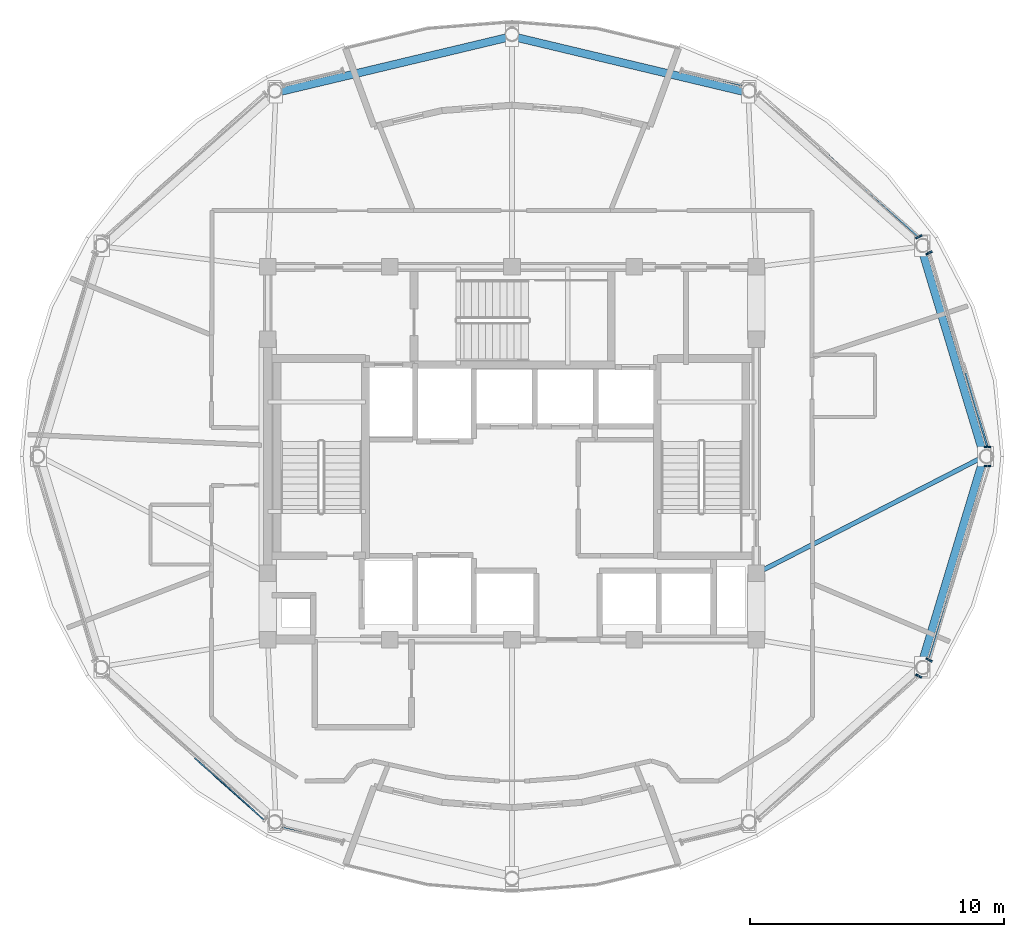
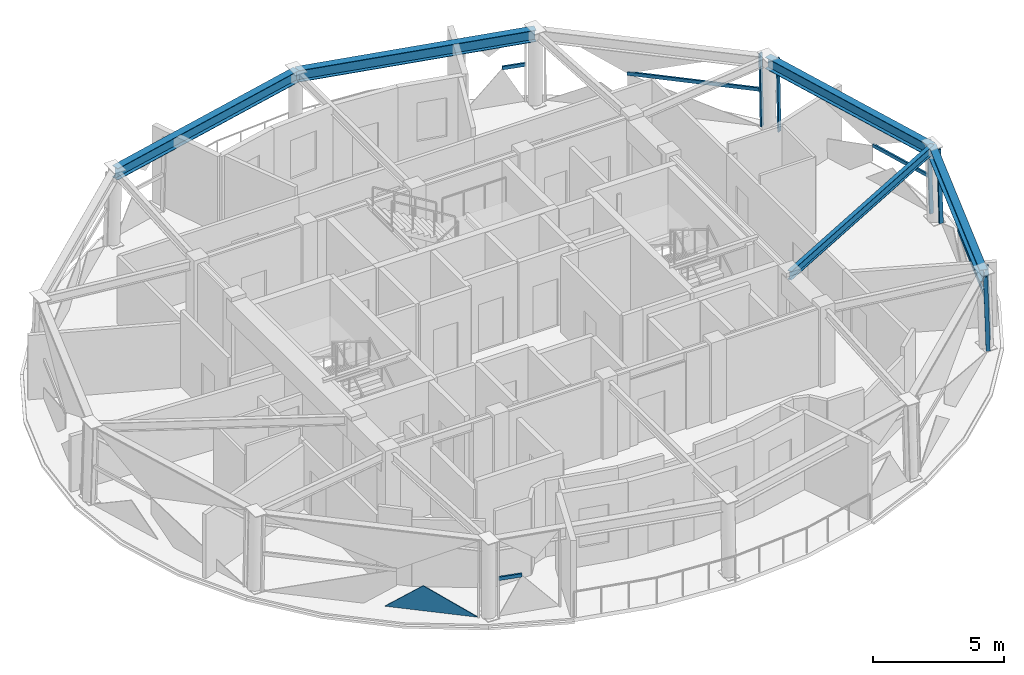
# One storey, part 4 of 13: 11 members, 5 beams, 1 plate, 7 elements without a shape of their own.
"""IFC4 building model written with IfcOpenShell, lengths in metres."""

from ifc_helpers import new_model, si_unit, direction, frame, origin, origin_2d, place, context, subcontext, project, spatial, polyline, hollow_rectangle, i_section, outline, extrude, material, layer, layer_set, material_profile, profile_set, type_object, element, aggregate, save


model = new_model("IFC4")

# Units and contexts
model_context = context("Model", 3, precision=1e-05, world=origin(), true_north=direction((0.0, 1.0)))
body_context = subcontext(model_context, "Body", "Model", "MODEL_VIEW")
ifc_project = project(units=[si_unit("LENGTHUNIT", "METRE"), si_unit("AREAUNIT", "SQUARE_METRE"), si_unit("VOLUMEUNIT", "CUBIC_METRE"), si_unit("PLANEANGLEUNIT", "RADIAN"), si_unit("MASSUNIT", "GRAM", prefix="KILO")], contexts=[model_context])

# Site, building, storey
site_placement = place(None, origin())
site = spatial("IfcSite", under=ifc_project, at=site_placement, CompositionType="ELEMENT")
building_placement = place(site_placement, origin())
building = spatial("IfcBuilding", under=site, at=building_placement, Name="Vantalir Tower", CompositionType="ELEMENT")
storey_placement = place(building_placement, frame((0.0, 0.0, 286.35009765625)))
storey = spatial("IfcBuildingStorey", under=building, at=storey_placement, Name="L72", CompositionType="ELEMENT", Elevation=286.35009765625)

# Beams
ifc_material_1 = material(Name="Steel S355", Category="steel")
ifc_material_profile_1 = material_profile(ifc_material_1, i_section(OverallWidth=0.179931640625, OverallDepth=0.4130859375, WebThickness=0.009521484375, FlangeThickness=0.01611328125, at=origin_2d()), Name="Steel S355")
ifc_profile_set_1 = profile_set([ifc_material_profile_1], Name="Steel S355")
beam_type_1 = type_object("IfcBeamType", Name="BM-RB-406x178", PredefinedType="BEAM", material=ifc_profile_set_1)
beam_1_placement = place(storey_placement, frame((50.06005859375, 25.0, 3.364013671875), z_axis=(-0.8896058829, -0.456728993068, 0.0), x_axis=(0.456728993068, -0.8896058829, 0.0)))
element("IfcBeam", 1, at=beam_1_placement, inside=storey, type_object=beam_type_1, Name="L72 Radial Floor Beam 01", PredefinedType="BEAM", context=body_context, shape_type="SweptSolid", body=[
    extrude(i_section(OverallWidth=0.179931640625, OverallDepth=0.4130859375, WebThickness=0.009521484375, FlangeThickness=0.01611328125, at=origin_2d()), origin(), (0.0, 0.0, 1.0), 10.07177734375),
])
ifc_material_2 = material(Name="Steel S460", Category="steel")
ifc_material_profile_2 = material_profile(ifc_material_2, i_section(OverallWidth=0.31201171875, OverallDepth=0.5419921875, WebThickness=0.0126953125, FlangeThickness=0.020263671875, at=origin_2d()), Name="Steel S460")
ifc_profile_set_2 = profile_set([ifc_material_profile_2], Name="Steel S460")
beam_type_2 = type_object("IfcBeamType", Name="BM-RG-533x312", PredefinedType="USERDEFINED", material=ifc_profile_set_2)
beam_2_placement = place(storey_placement, frame((50.06005859375, 25.0, 3.298828125), z_axis=(-0.288436105836, 0.957499145091, 0.0), x_axis=(-0.957499145091, -0.288436105836, 0.0)))
element("IfcBeam", 2, at=beam_2_placement, inside=storey, type_object=beam_type_2, Name="L72 Circumferential Ring Girder 01", ObjectType="GIRDER", PredefinedType="USERDEFINED", context=body_context, shape_type="SweptSolid", body=[
    extrude(i_section(OverallWidth=0.31201171875, OverallDepth=0.5419921875, WebThickness=0.0126953125, FlangeThickness=0.020263671875, at=origin_2d()), origin(), (0.0, 0.0, 1.0), 8.62255859375),
])
for number, where, z_axis, x_axis, name in (
    (3, (40.780029296875, 39.300048828125, 3.298828125), (-0.972749896139, 0.231856937703, 0.0), (-0.231856937703, -0.972749896139, 0.0), "L72 Circumferential Ring Girder 03"),
    (4, (31.5, 41.511962890625, 3.298828125), (-0.972749896139, -0.231856937703, 0.0), (0.231856937703, -0.972749896139, 0.0), "L72 Circumferential Ring Girder 04"),
):
    element("IfcBeam", number, at=place(storey_placement, frame(where, z_axis=z_axis, x_axis=x_axis)), inside=storey, type_object=beam_type_2, Name=name, ObjectType="GIRDER", PredefinedType="USERDEFINED", context=body_context, shape_type="SweptSolid", body=[
        extrude(i_section(OverallWidth=0.31201171875, OverallDepth=0.5419921875, WebThickness=0.0126953125, FlangeThickness=0.020263671875, at=origin_2d()), origin(), (0.0, 0.0, 1.0), 9.5400390625),
    ])
beam_3_placement = place(storey_placement, frame((47.572998046875, 16.743896484375, 3.298828125), z_axis=(0.288436105836, 0.957499145091, 0.0), x_axis=(-0.957499145091, 0.288436105836, 0.0)))
element("IfcBeam", 5, at=beam_3_placement, inside=storey, type_object=beam_type_2, Name="L72 Circumferential Ring Girder 12", ObjectType="GIRDER", PredefinedType="USERDEFINED", context=body_context, shape_type="SweptSolid", body=[
    extrude(i_section(OverallWidth=0.31201171875, OverallDepth=0.5419921875, WebThickness=0.0126953125, FlangeThickness=0.020263671875, at=origin_2d()), origin(), (0.0, 0.0, 1.0), 8.62255859375),
])

# Curtain wall, members
ifc_material_3 = material(Name="Champagne-silver PVDF aluminium and double-silver Low-E glass", Category="aluminium")
ifc_layer_1 = layer(ifc_material_3, 0.219970703125)
ifc_layer_set_1 = layer_set([ifc_layer_1], Name="Champagne-silver PVDF aluminium and double-silver Low-E glass")
curtain_wall_type = type_object("IfcCurtainWallType", Name="CW-DIAMOND-Z4", PredefinedType="USERDEFINED", material=ifc_layer_set_1)
curtain_wall_1_placement = place(storey_placement, origin())
curtain_wall_1 = element("IfcCurtainWall", 6, at=curtain_wall_1_placement, inside=storey, type_object=curtain_wall_type, Name="L72 Quilted Pyramid-Diamond Curtain Wall S01", ObjectType="UNITISED CURTAIN WALL", PredefinedType="USERDEFINED")
ifc_material_4 = material(Name="Champagne-silver PVDF aluminium 6063-T6", Category="aluminium")
ifc_material_profile_3 = material_profile(ifc_material_4, hollow_rectangle(XDim=0.070068359375, YDim=0.1650390625, WallThickness=0.00390625, at=origin_2d()), Name="Champagne-silver PVDF aluminium 6063-T6")
ifc_profile_set_3 = profile_set([ifc_material_profile_3], Name="Champagne-silver PVDF aluminium 6063-T6")
member_type_1 = type_object("IfcMemberType", Name="CWM-165x70", PredefinedType="MULLION", material=ifc_profile_set_3)
member_1_placement = place(storey_placement, frame((50.242919921875, 25.373046875, 0.044921875), z_axis=(-0.030153253369, 0.0, 0.999545287274), x_axis=(0.0, -1.0, 0.0)))
member_1 = element("IfcMember", 7, at=member_1_placement, type_object=member_type_1, Name="CW-L72-S01 Mullion 1", PredefinedType="MULLION", context=body_context, shape_type="SweptSolid", body=[
    extrude(hollow_rectangle(XDim=0.070068359375, YDim=0.1650390625, WallThickness=0.00390625, at=origin_2d()), origin(), (0.0, 0.0, 1.0), 3.4814453125),
])
member_2_placement = place(storey_placement, frame((47.94091796875, 33.02490234375, 0.044921875), z_axis=(-0.026086689431, -0.013464097771, 0.999569008476), x_axis=(0.45864291977, -0.888620657055, 0.0)))
member_2 = element("IfcMember", 8, at=member_2_placement, type_object=member_type_1, Name="CW-L72-S01 Mullion 2", PredefinedType="MULLION", context=body_context, shape_type="SweptSolid", body=[
    extrude(hollow_rectangle(XDim=0.070068359375, YDim=0.1650390625, WallThickness=0.00390625, at=origin_2d()), origin(), (0.0, 0.0, 1.0), 3.4814453125),
])

# Curtain wall, member
curtain_wall_2_placement = place(storey_placement, origin())
curtain_wall_2 = element("IfcCurtainWall", 9, at=curtain_wall_2_placement, inside=storey, type_object=curtain_wall_type, Name="L72 Quilted Pyramid-Diamond Curtain Wall S02", ObjectType="UNITISED CURTAIN WALL", PredefinedType="USERDEFINED")
member_3_placement = place(storey_placement, frame((47.5380859375, 33.656982421875, 0.044921875), z_axis=(-0.026156767027, -0.013464073107, 0.999567177469), x_axis=(0.457671144343, -0.889121546042, 0.0)))
member_3 = element("IfcMember", 10, at=member_3_placement, type_object=member_type_1, Name="CW-L72-S02 Mullion 1", PredefinedType="MULLION", context=body_context, shape_type="SweptSolid", body=[
    extrude(hollow_rectangle(XDim=0.070068359375, YDim=0.1650390625, WallThickness=0.00390625, at=origin_2d()), origin(), (0.0, 0.0, 1.0), 3.4814453125),
])

curtain_wall_3_placement = place(storey_placement, origin())
curtain_wall_3 = element("IfcCurtainWall", 11, at=curtain_wall_3_placement, inside=storey, type_object=curtain_wall_type, Name="L72 Quilted Pyramid-Diamond Curtain Wall S11", ObjectType="UNITISED CURTAIN WALL", PredefinedType="USERDEFINED")
member_4_placement = place(storey_placement, frame((47.5380859375, 16.343017578125, 0.044921875), z_axis=(-0.026156767027, 0.013464073107, 0.999567177469), x_axis=(-0.457671144343, -0.889121546042, 0.0)))
member_4 = element("IfcMember", 12, at=member_4_placement, type_object=member_type_1, Name="CW-L72-S11 Mullion 2", PredefinedType="MULLION", context=body_context, shape_type="SweptSolid", body=[
    extrude(hollow_rectangle(XDim=0.070068359375, YDim=0.1650390625, WallThickness=0.00390625, at=origin_2d()), origin(), (0.0, 0.0, 1.0), 3.4814453125),
])
aggregate(curtain_wall_3, [member_4])

# Curtain wall, members
curtain_wall_4_placement = place(storey_placement, origin())
curtain_wall_4 = element("IfcCurtainWall", 13, at=curtain_wall_4_placement, inside=storey, type_object=curtain_wall_type, Name="L72 Quilted Pyramid-Diamond Curtain Wall S12", ObjectType="UNITISED CURTAIN WALL", PredefinedType="USERDEFINED")
member_5_placement = place(storey_placement, frame((47.94091796875, 16.97509765625, 0.044921875), z_axis=(-0.026086689431, 0.013464097771, 0.999569008476), x_axis=(-0.45864291977, -0.888620657055, 0.0)))
member_5 = element("IfcMember", 14, at=member_5_placement, type_object=member_type_1, Name="CW-L72-S12 Mullion 1", PredefinedType="MULLION", context=body_context, shape_type="SweptSolid", body=[
    extrude(hollow_rectangle(XDim=0.070068359375, YDim=0.1650390625, WallThickness=0.00390625, at=origin_2d()), origin(), (0.0, 0.0, 1.0), 3.4814453125),
])
member_6_placement = place(storey_placement, frame((50.242919921875, 24.626953125, 0.044921875), z_axis=(-0.030153253369, 0.0, 0.999545287274), x_axis=(0.0, -1.0, 0.0)))
member_6 = element("IfcMember", 15, at=member_6_placement, type_object=member_type_1, Name="CW-L72-S12 Mullion 2", PredefinedType="MULLION", context=body_context, shape_type="SweptSolid", body=[
    extrude(hollow_rectangle(XDim=0.070068359375, YDim=0.1650390625, WallThickness=0.00390625, at=origin_2d()), origin(), (0.0, 0.0, 1.0), 3.4814453125),
])

# Member
ifc_material_profile_4 = material_profile(ifc_material_4, hollow_rectangle(XDim=0.074951171875, YDim=0.159912109375, WallThickness=0.00390625, at=origin_2d()), Name="Champagne-silver PVDF aluminium 6063-T6")
ifc_profile_set_4 = profile_set([ifc_material_profile_4], Name="Champagne-silver PVDF aluminium 6063-T6")
member_type_2 = type_object("IfcMemberType", Name="CWT-160x75", PredefinedType="USERDEFINED", material=ifc_profile_set_4)
member_7_placement = place(storey_placement, frame((50.18994140625, 25.373046875, 1.784912109375), z_axis=(-0.280378186081, 0.959889614888, 0.0), x_axis=(-0.959889614888, -0.280378186081, 0.0)))
member_7 = element("IfcMember", 16, at=member_7_placement, type_object=member_type_2, Name="CW-L72-S01 Pyramid Fold Ridge Transom", ObjectType="TRANSOM", PredefinedType="USERDEFINED", context=body_context, shape_type="SweptSolid", body=[
    extrude(hollow_rectangle(XDim=0.074951171875, YDim=0.159912109375, WallThickness=0.00390625, at=origin_2d()), origin(), (0.0, 0.0, 1.0), 3.024169921875),
])

aggregate(curtain_wall_1, [member_1, member_2, member_7])

member_8_placement = place(storey_placement, frame((47.491943359375, 33.634033203125, 1.784912109375), z_axis=(-0.743607510148, 0.66861638542, 0.0), x_axis=(-0.66861638542, -0.743607510148, 0.0)))
member_8 = element("IfcMember", 17, at=member_8_placement, type_object=member_type_2, Name="CW-L72-S02 Pyramid Fold Ridge Transom", ObjectType="TRANSOM", PredefinedType="USERDEFINED", context=body_context, shape_type="SweptSolid", body=[
    extrude(hollow_rectangle(XDim=0.074951171875, YDim=0.159912109375, WallThickness=0.00390625, at=origin_2d()), origin(), (0.0, 0.0, 1.0), 5.228515625),
])

aggregate(curtain_wall_2, [member_3, member_8])

# Curtain wall, member
curtain_wall_5_placement = place(storey_placement, origin())
curtain_wall_5 = element("IfcCurtainWall", 18, at=curtain_wall_5_placement, inside=storey, type_object=curtain_wall_type, Name="L72 Quilted Pyramid-Diamond Curtain Wall S03", ObjectType="UNITISED CURTAIN WALL", PredefinedType="USERDEFINED")
member_9_placement = place(storey_placement, frame((40.52197265625, 39.595947265625, 1.784912109375), z_axis=(-0.966633878312, 0.256161951309, 0.0), x_axis=(-0.256161951309, -0.966633878312, 0.0)))
member_9 = element("IfcMember", 19, at=member_9_placement, type_object=member_type_2, Name="CW-L72-S03 Pyramid Fold Ridge Transom", ObjectType="TRANSOM", PredefinedType="USERDEFINED", context=body_context, shape_type="SweptSolid", body=[
    extrude(hollow_rectangle(XDim=0.074951171875, YDim=0.159912109375, WallThickness=0.00390625, at=origin_2d()), origin(), (0.0, 0.0, 1.0), 0.921630859375),
])
aggregate(curtain_wall_5, [member_9])

curtain_wall_6_placement = place(storey_placement, origin())
curtain_wall_6 = element("IfcCurtainWall", 20, at=curtain_wall_6_placement, inside=storey, type_object=curtain_wall_type, Name="L72 Quilted Pyramid-Diamond Curtain Wall S09", ObjectType="UNITISED CURTAIN WALL", PredefinedType="USERDEFINED")
member_10_placement = place(storey_placement, frame((22.47802734375, 10.404052734375, 1.784912109375), z_axis=(0.966633878312, -0.256161951309, 0.0), x_axis=(0.256161951309, 0.966633878312, 0.0)))
member_10 = element("IfcMember", 21, at=member_10_placement, type_object=member_type_2, Name="CW-L72-S09 Pyramid Fold Ridge Transom", ObjectType="TRANSOM", PredefinedType="USERDEFINED", context=body_context, shape_type="SweptSolid", body=[
    extrude(hollow_rectangle(XDim=0.074951171875, YDim=0.159912109375, WallThickness=0.00390625, at=origin_2d()), origin(), (0.0, 0.0, 1.0), 0.921630859375),
])
aggregate(curtain_wall_6, [member_10])

# Member
member_11_placement = place(storey_placement, frame((47.89599609375, 16.9990234375, 1.784912109375), z_axis=(0.292637752371, 0.956223376564, 0.0), x_axis=(-0.956223376564, 0.292637752371, 0.0)))
member_11 = element("IfcMember", 22, at=member_11_placement, type_object=member_type_2, Name="CW-L72-S12 Pyramid Fold Ridge Transom", ObjectType="TRANSOM", PredefinedType="USERDEFINED", context=body_context, shape_type="SweptSolid", body=[
    extrude(hollow_rectangle(XDim=0.074951171875, YDim=0.159912109375, WallThickness=0.00390625, at=origin_2d()), origin(), (0.0, 0.0, 1.0), 4.94140625),
])

aggregate(curtain_wall_4, [member_5, member_6, member_11])

# Curtain wall, plate
curtain_wall_7_placement = place(storey_placement, origin())
curtain_wall_7 = element("IfcCurtainWall", 23, at=curtain_wall_7_placement, inside=storey, type_object=curtain_wall_type, Name="L72 Quilted Pyramid-Diamond Curtain Wall S08", ObjectType="UNITISED CURTAIN WALL", PredefinedType="USERDEFINED")
ifc_material_5 = material(Name="Double-silver Low-E acoustic glass IGU", Category="glass")
ifc_layer_2 = layer(ifc_material_5, 0.031982421875)
ifc_layer_set_2 = layer_set([ifc_layer_2], Name="Double-silver Low-E acoustic glass IGU")
plate_type = type_object("IfcPlateType", Name="CWP-IGU-32", PredefinedType="CURTAIN_PANEL", material=ifc_layer_set_2)
plate_placement = place(storey_placement, frame((19.021484375, 13.123291015625, 0.04736328125), z_axis=(-0.665081109938, -0.746642479364, 0.013860923926), x_axis=(0.746714829443, -0.665144314425, 6.6915927e-05)))
plate = element("IfcPlate", 24, at=plate_placement, type_object=plate_type, Name="CW-L72-S08 Pyramid Diamond Facet 1L Infill Light", PredefinedType="CURTAIN_PANEL", context=body_context, shape_type="SweptSolid", body=[
    extrude(outline(polyline([(0.0, 0.0), (3.6484680991349756, 2.1141942363467336e-18), (1.4972928284039506, 1.1572375449479382), (0.0, 0.0)])), origin(), (0.0, 0.0, -1.0), 0.031982421875),
])
aggregate(curtain_wall_7, [plate])

save(model, "model.ifc")
